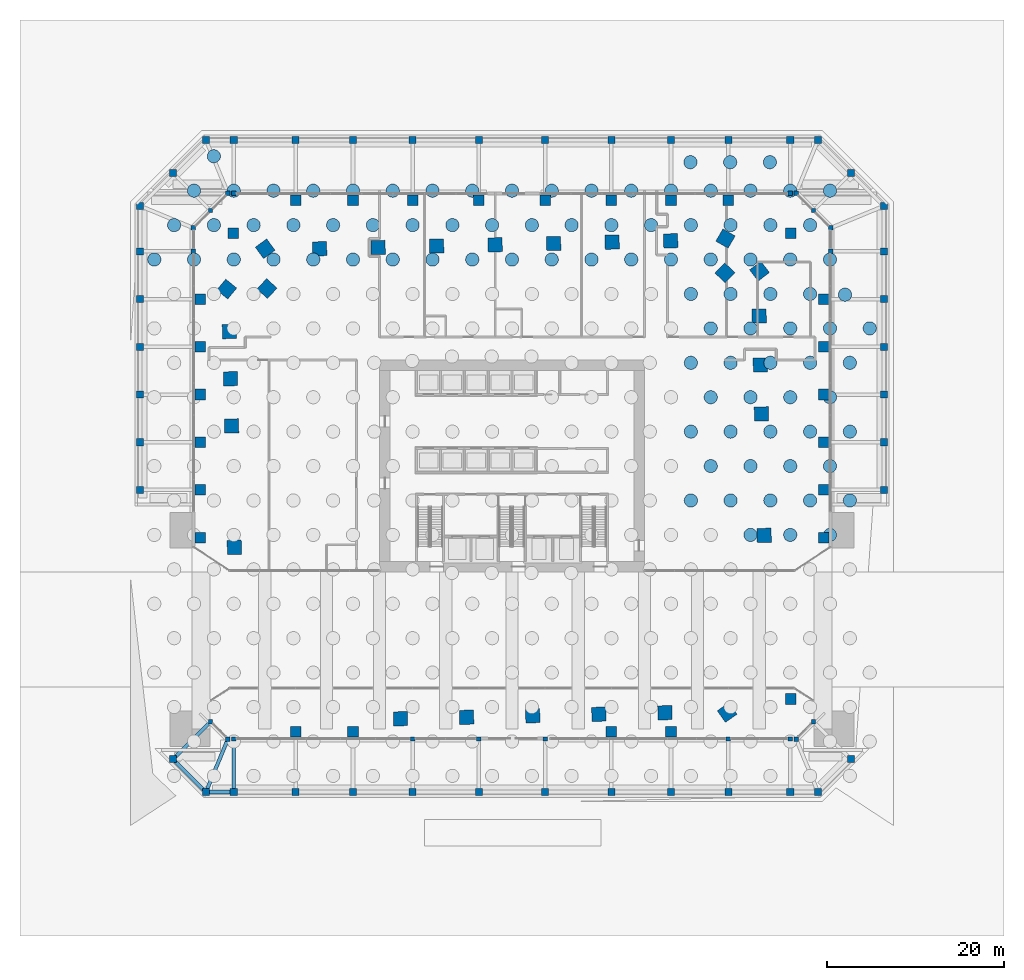
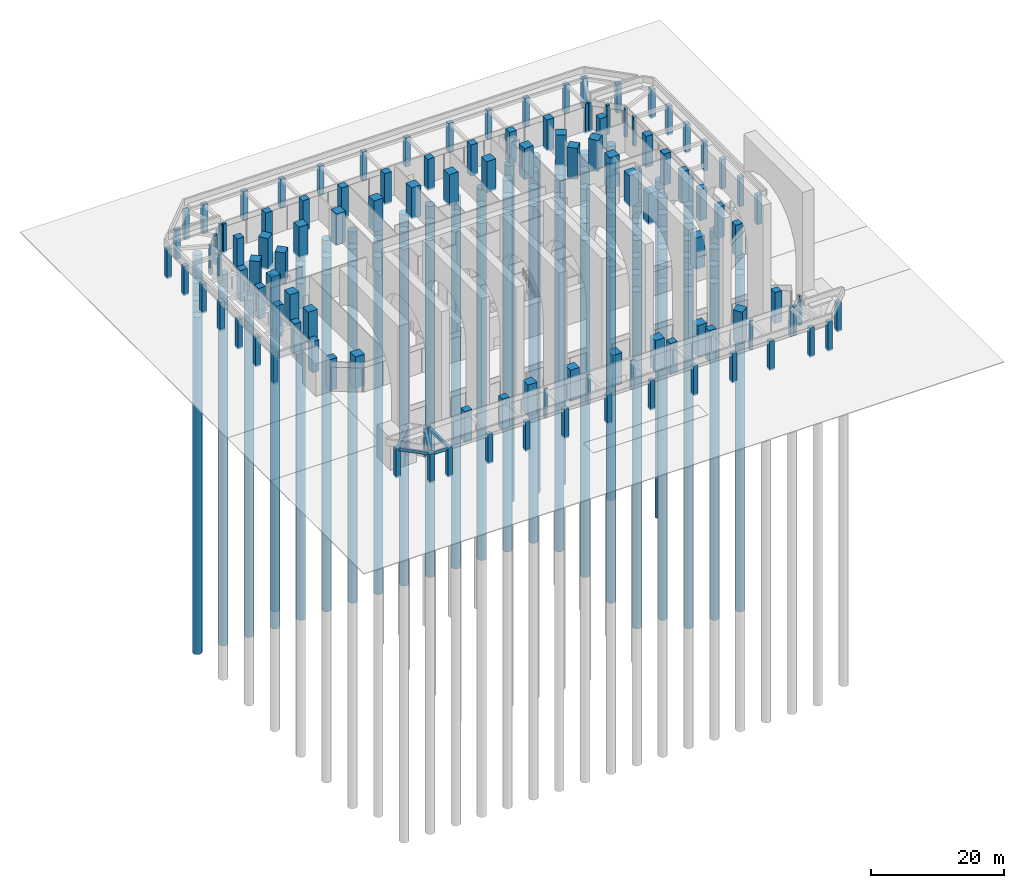
# One storey, part 2 of 46: 116 columns, 92 piles, 5 beams.
"""IFC4 building model written with IfcOpenShell, lengths in metres."""

from ifc_helpers import new_model, si_unit, direction, frame, origin, origin_2d, place, context, subcontext, project, spatial, rectangle, circle, extrude, material, material_profile, profile_set, type_object, element, save


model = new_model("IFC4")

# Units and contexts
model_context = context("Model", 3, precision=1e-05, world=origin(), true_north=direction((0.0, 1.0)))
body_context = subcontext(model_context, "Body", "Model", "MODEL_VIEW")
ifc_project = project(units=[si_unit("LENGTHUNIT", "METRE"), si_unit("AREAUNIT", "SQUARE_METRE"), si_unit("VOLUMEUNIT", "CUBIC_METRE"), si_unit("PLANEANGLEUNIT", "RADIAN"), si_unit("MASSUNIT", "GRAM", prefix="KILO")], contexts=[model_context])

# Site, building, storey
site_placement = place(None, origin())
site = spatial("IfcSite", under=ifc_project, at=site_placement, CompositionType="ELEMENT")
building_placement = place(site_placement, origin())
building = spatial("IfcBuilding", under=site, at=building_placement, Name="Mangrove Gate Tower", CompositionType="ELEMENT")
storey_placement = place(building_placement, origin())
storey = spatial("IfcBuildingStorey", under=building, at=storey_placement, Name="L00", CompositionType="ELEMENT", Elevation=0.0)

# Piles
ifc_material_1 = material(Name="Concrete C40/50", Category="concrete")
ifc_material_profile_1 = material_profile(ifc_material_1, circle(Radius=0.75, at=origin_2d()))
ifc_profile_set_1 = profile_set([ifc_material_profile_1], Name="Concrete C40/50")
pile_type = type_object("IfcPileType", Name="Bored pile D1500 C40/50", PredefinedType="BORED", material=ifc_profile_set_1)
for number, where, z_axis, x_axis, name in (
    (1, (27.0, -7.794189453125, -4.14990234375), (0.0, 0.0, -1.0), (1.0, 0.0, 0.0), "Bored pile T106098"),
    (2, (31.5, -7.794189453125, -4.14990234375), (0.0, 0.0, -1.0), (1.0, 0.0, 0.0), "Bored pile T107098"),
    (3, (36.0, -7.794189453125, -4.14990234375), (0.0, 0.0, -1.0), (1.0, 0.0, 0.0), "Bored pile T108098"),
    (4, (20.25, -3.897216796875, -4.14990234375), (0.0, 0.0, -1.0), (1.0, 0.0, 0.0), "Bored pile T104099"),
    (5, (24.75, -3.897216796875, -4.14990234375), (0.0, 0.0, -1.0), (1.0, 0.0, 0.0), "Bored pile T105099"),
    (6, (29.25, -3.897216796875, -4.14990234375), (0.0, 0.0, -1.0), (1.0, 0.0, 0.0), "Bored pile T106099"),
    (7, (33.75, -3.897216796875, -4.14990234375), (0.0, 0.0, -1.0), (1.0, 0.0, 0.0), "Bored pile T107099"),
    (8, (38.25, -3.897216796875, -4.14990234375), (0.0, 0.0, -1.0), (1.0, 0.0, 0.0), "Bored pile T108099"),
    (9, (22.5, 0.0, -4.14990234375), (0.0, 0.0, -1.0), (1.0, 0.0, 0.0), "Bored pile T105100"),
    (10, (27.0, 0.0, -4.14990234375), (0.0, 0.0, -1.0), (1.0, 0.0, 0.0), "Bored pile T106100"),
    (11, (31.5, 0.0, -4.14990234375), (0.0, 0.0, -1.0), (1.0, 0.0, 0.0), "Bored pile T107100"),
    (12, (36.0, 0.0, -4.14990234375), (0.0, 0.0, -1.0), (1.0, 0.0, 0.0), "Bored pile T108100"),
    (13, (20.25, 3.897216796875, -4.14990234375), (0.0, 0.0, -1.0), (1.0, 0.0, 0.0), "Bored pile T104101"),
    (14, (24.75, 3.897216796875, -4.14990234375), (0.0, 0.0, -1.0), (1.0, 0.0, 0.0), "Bored pile T105101"),
    (15, (29.25, 3.897216796875, -4.14990234375), (0.0, 0.0, -1.0), (1.0, 0.0, 0.0), "Bored pile T106101"),
    (16, (33.75, 3.897216796875, -4.14990234375), (0.0, 0.0, -1.0), (1.0, 0.0, 0.0), "Bored pile T107101"),
    (17, (38.25, 3.897216796875, -4.14990234375), (0.0, 0.0, -1.0), (1.0, 0.0, 0.0), "Bored pile T108101"),
    (18, (22.5, 7.794189453125, -4.14990234375), (0.0, 0.0, -1.0), (1.0, 0.0, 0.0), "Bored pile T105102"),
    (19, (27.0, 7.794189453125, -4.14990234375), (0.0, 0.0, -1.0), (1.0, 0.0, 0.0), "Bored pile T106102"),
    (20, (31.5, 7.794189453125, -4.14990234375), (0.0, 0.0, -1.0), (1.0, 0.0, 0.0), "Bored pile T107102"),
    (21, (36.0, 7.794189453125, -4.14990234375), (0.0, 0.0, -1.0), (1.0, 0.0, 0.0), "Bored pile T108102"),
    (22, (20.25, 11.69140625, -4.14990234375), (0.0, 0.0, -1.0), (1.0, 0.0, 0.0), "Bored pile T104103"),
    (23, (24.75, 11.69140625, -4.14990234375), (0.0, 0.0, -1.0), (1.0, 0.0, 0.0), "Bored pile T105103"),
    (24, (29.25, 11.69140625, -4.14990234375), (0.0, 0.0, -1.0), (1.0, 0.0, 0.0), "Bored pile T106103"),
    (25, (33.75, 11.69140625, -4.14990234375), (0.0, 0.0, -1.0), (1.0, 0.0, 0.0), "Bored pile T107103"),
    (26, (38.25, 11.69140625, -4.14990234375), (0.0, 0.0, -1.0), (1.0, 0.0, 0.0), "Bored pile T108103"),
    (27, (22.5, 15.58837890625, -4.14990234375), (0.0, 0.0, -1.0), (1.0, 0.0, 0.0), "Bored pile T105104"),
    (28, (27.0, 15.58837890625, -4.14990234375), (0.0, 0.0, -1.0), (1.0, 0.0, 0.0), "Bored pile T106104"),
    (29, (31.5, 15.58837890625, -4.14990234375), (0.0, 0.0, -1.0), (1.0, 0.0, 0.0), "Bored pile T107104"),
    (30, (36.0, 15.58837890625, -4.14990234375), (0.0, 0.0, -1.0), (1.0, 0.0, 0.0), "Bored pile T108104"),
    (31, (20.25, 19.485595703125, -4.14990234375), (0.0, 0.0, -1.0), (1.0, 0.0, 0.0), "Bored pile T104105"),
    (32, (24.75, 19.485595703125, -4.14990234375), (0.0, 0.0, -1.0), (1.0, 0.0, 0.0), "Bored pile T105105"),
    (33, (29.25, 19.485595703125, -4.14990234375), (0.0, 0.0, -1.0), (1.0, 0.0, 0.0), "Bored pile T106105"),
    (34, (33.75, 19.485595703125, -4.14990234375), (0.0, 0.0, -1.0), (1.0, 0.0, 0.0), "Bored pile T107105"),
    (35, (-40.5, 23.382568359375, -4.14990234375), (0.0, 0.0, -1.0), (1.0, 0.0, 0.0), "Bored pile T091106"),
    (36, (-36.0, 23.382568359375, -4.14990234375), (0.0, 0.0, -1.0), (1.0, 0.0, 0.0), "Bored pile T092106"),
    (37, (-31.5, 23.382568359375, -4.14990234375), (0.0, 0.0, -1.0), (1.0, 0.0, 0.0), "Bored pile T093106"),
    (38, (-27.0, 23.382568359375, -4.14990234375), (0.0, 0.0, -1.0), (1.0, 0.0, 0.0), "Bored pile T094106"),
    (39, (-22.5, 23.382568359375, -4.14990234375), (0.0, 0.0, -1.0), (1.0, 0.0, 0.0), "Bored pile T095106"),
    (40, (-18.0, 23.382568359375, -4.14990234375), (0.0, 0.0, -1.0), (1.0, 0.0, 0.0), "Bored pile T096106"),
    (41, (-13.5, 23.382568359375, -4.14990234375), (0.0, 0.0, -1.0), (1.0, 0.0, 0.0), "Bored pile T097106"),
    (42, (-9.0, 23.382568359375, -4.14990234375), (0.0, 0.0, -1.0), (1.0, 0.0, 0.0), "Bored pile T098106"),
    (43, (-4.5, 23.382568359375, -4.14990234375), (0.0, 0.0, -1.0), (1.0, 0.0, 0.0), "Bored pile T099106"),
    (44, (0.0, 23.382568359375, -4.14990234375), (0.0, 0.0, -1.0), (1.0, 0.0, 0.0), "Bored pile T100106"),
    (45, (4.5, 23.382568359375, -4.14990234375), (0.0, 0.0, -1.0), (1.0, 0.0, 0.0), "Bored pile T101106"),
    (46, (9.0, 23.382568359375, -4.14990234375), (0.0, 0.0, -1.0), (1.0, 0.0, 0.0), "Bored pile T102106"),
    (47, (13.5, 23.382568359375, -4.14990234375), (0.0, 0.0, -1.0), (1.0, 0.0, 0.0), "Bored pile T103106"),
    (48, (18.0, 23.382568359375, -4.14990234375), (0.0, 0.0, -1.0), (1.0, 0.0, 0.0), "Bored pile T104106"),
    (49, (22.5, 23.382568359375, -4.14990234375), (0.0, 0.0, -1.0), (1.0, 0.0, 0.0), "Bored pile T105106"),
    (50, (27.0, 23.382568359375, -4.14990234375), (0.0, 0.0, -1.0), (1.0, 0.0, 0.0), "Bored pile T106106"),
    (51, (31.5, 23.382568359375, -4.14990234375), (0.0, 0.0, -1.0), (1.0, 0.0, 0.0), "Bored pile T107106"),
    (52, (36.0, 23.382568359375, -4.14990234375), (0.0, 0.0, -1.0), (1.0, 0.0, 0.0), "Bored pile T108106"),
    (53, (-38.25, 27.27978515625, -4.14990234375), (0.0, 0.0, -1.0), (1.0, 0.0, 0.0), "Bored pile T091107"),
    (54, (-33.75, 27.27978515625, -4.14990234375), (0.0, 0.0, -1.0), (1.0, 0.0, 0.0), "Bored pile T092107"),
    (55, (-29.25, 27.27978515625, -4.14990234375), (0.0, 0.0, -1.0), (1.0, 0.0, 0.0), "Bored pile T093107"),
    (56, (-24.75, 27.27978515625, -4.14990234375), (0.0, 0.0, -1.0), (1.0, 0.0, 0.0), "Bored pile T094107"),
    (57, (-20.25, 27.27978515625, -4.14990234375), (0.0, 0.0, -1.0), (1.0, 0.0, 0.0), "Bored pile T095107"),
    (58, (-15.75, 27.27978515625, -4.14990234375), (0.0, 0.0, -1.0), (1.0, 0.0, 0.0), "Bored pile T096107"),
    (59, (-11.25, 27.27978515625, -4.14990234375), (0.0, 0.0, -1.0), (1.0, 0.0, 0.0), "Bored pile T097107"),
    (60, (-6.75, 27.27978515625, -4.14990234375), (0.0, 0.0, -1.0), (1.0, 0.0, 0.0), "Bored pile T098107"),
    (61, (-2.25, 27.27978515625, -4.14990234375), (0.0, 0.0, -1.0), (1.0, 0.0, 0.0), "Bored pile T099107"),
    (62, (2.25, 27.27978515625, -4.14990234375), (0.0, 0.0, -1.0), (1.0, 0.0, 0.0), "Bored pile T100107"),
    (63, (6.75, 27.27978515625, -4.14990234375), (0.0, 0.0, -1.0), (1.0, 0.0, 0.0), "Bored pile T101107"),
    (64, (11.25, 27.27978515625, -4.14990234375), (0.0, 0.0, -1.0), (1.0, 0.0, 0.0), "Bored pile T102107"),
    (65, (15.75, 27.27978515625, -4.14990234375), (0.0, 0.0, -1.0), (1.0, 0.0, 0.0), "Bored pile T103107"),
    (66, (20.25, 27.27978515625, -4.14990234375), (0.0, 0.0, -1.0), (1.0, 0.0, 0.0), "Bored pile T104107"),
    (67, (24.75, 27.27978515625, -4.14990234375), (0.0, 0.0, -1.0), (1.0, 0.0, 0.0), "Bored pile T105107"),
    (68, (29.25, 27.27978515625, -4.14990234375), (0.0, 0.0, -1.0), (1.0, 0.0, 0.0), "Bored pile T106107"),
    (69, (33.75, 27.27978515625, -4.14990234375), (0.0, 0.0, -1.0), (1.0, 0.0, 0.0), "Bored pile T107107"),
    (70, (-36.0, 31.177001953125, -4.14990234375), (0.0, 0.0, -1.0), (1.0, 0.0, 0.0), "Bored pile T092108"),
    (71, (-31.5, 31.177001953125, -4.14990234375), (0.0, 0.0, -1.0), (1.0, 0.0, 0.0), "Bored pile T093108"),
    (72, (-27.0, 31.177001953125, -4.14990234375), (0.0, 0.0, -1.0), (1.0, 0.0, 0.0), "Bored pile T094108"),
    (73, (-22.5, 31.177001953125, -4.14990234375), (0.0, 0.0, -1.0), (1.0, 0.0, 0.0), "Bored pile T095108"),
    (74, (-18.0, 31.177001953125, -4.14990234375), (0.0, 0.0, -1.0), (1.0, 0.0, 0.0), "Bored pile T096108"),
    (75, (-13.5, 31.177001953125, -4.14990234375), (0.0, 0.0, -1.0), (1.0, 0.0, 0.0), "Bored pile T097108"),
    (76, (-9.0, 31.177001953125, -4.14990234375), (0.0, 0.0, -1.0), (1.0, 0.0, 0.0), "Bored pile T098108"),
    (77, (-4.5, 31.177001953125, -4.14990234375), (0.0, 0.0, -1.0), (1.0, 0.0, 0.0), "Bored pile T099108"),
    (78, (0.0, 31.177001953125, -4.14990234375), (0.0, 0.0, -1.0), (1.0, 0.0, 0.0), "Bored pile T100108"),
    (79, (4.5, 31.177001953125, -4.14990234375), (0.0, 0.0, -1.0), (1.0, 0.0, 0.0), "Bored pile T101108"),
    (80, (9.0, 31.177001953125, -4.14990234375), (0.0, 0.0, -1.0), (1.0, 0.0, 0.0), "Bored pile T102108"),
    (81, (13.5, 31.177001953125, -4.14990234375), (0.0, 0.0, -1.0), (1.0, 0.0, 0.0), "Bored pile T103108"),
    (82, (18.0, 31.177001953125, -4.14990234375), (0.0, 0.0, -1.0), (1.0, 0.0, 0.0), "Bored pile T104108"),
    (83, (22.5, 31.177001953125, -4.14990234375), (0.0, 0.0, -1.0), (1.0, 0.0, 0.0), "Bored pile T105108"),
    (84, (27.0, 31.177001953125, -4.14990234375), (0.0, 0.0, -1.0), (1.0, 0.0, 0.0), "Bored pile T106108"),
    (85, (31.5, 31.177001953125, -4.14990234375), (0.0, 0.0, -1.0), (1.0, 0.0, 0.0), "Bored pile T107108"),
    (86, (36.0, 31.177001953125, -4.14990234375), (0.0, 0.0, -1.0), (1.0, 0.0, 0.0), "Bored pile T108108"),
    (87, (37.699951171875, 19.39990234375, -4.14990234375), (0.0, 0.0, -1.0), (1.0, 0.0, 0.0), "Bored pile T750105"),
    (88, (20.199951171875, 34.39990234375, -4.14990234375), (0.0, 0.0, -1.0), (1.0, 0.0, 0.0), "Bored pile T750106"),
    (89, (24.699951171875, 34.39990234375, -4.14990234375), (0.0, 0.0, -1.0), (1.0, 0.0, 0.0), "Bored pile T750107"),
    (90, (29.199951171875, 34.39990234375, -4.14990234375), (0.0, 0.0, -1.0), (1.0, 0.0, 0.0), "Bored pile T750108"),
    (91, (40.5, 15.58837890625, -2.14990234375), (0.0, 0.0, -1.0), (1.0, 0.0, 0.0), "Bored pile P109104"),
    (92, (-33.75, 35.073974609375, -2.14990234375), (0.0, 0.0, -1.0), (1.0, 0.0, 0.0), "Bored pile P092109"),
):
    element("IfcPile", number, at=place(storey_placement, frame(where, z_axis=z_axis, x_axis=x_axis)), inside=storey, type_object=pile_type, Name=name, PredefinedType="BORED", context=body_context, shape_type="SweptSolid", body=[
        extrude(circle(Radius=0.75, at=origin_2d()), origin(), (0.0, 0.0, 1.0), 62.0),
    ])

# Columns
ifc_material_2 = material(Name="Concrete C50/60", Category="concrete")
ifc_material_profile_2 = material_profile(ifc_material_2, rectangle(XDim=1.199951171875, YDim=1.199951171875, at=origin_2d()))
ifc_profile_set_2 = profile_set([ifc_material_profile_2], Name="Concrete C50/60")
column_type_1 = type_object("IfcColumnType", Name="Column RC 1200x1200 C50/60", PredefinedType="COLUMN", material=ifc_profile_set_2)
for number, where, z_axis, x_axis, name in (
    (93, (-24.5, -30.10009765625, -0.300048828125), (0.0, 0.0, 1.0), (1.0, 0.0, 0.0), "Column L00 PS00"),
    (94, (-24.5, 30.10009765625, -0.300048828125), (0.0, 0.0, 1.0), (1.0, 0.0, 0.0), "Column L00 PN01"),
    (95, (-18.0, -30.10009765625, -0.300048828125), (0.0, 0.0, 1.0), (1.0, 0.0, 0.0), "Column L00 PS02"),
    (96, (-18.0, 30.10009765625, -0.300048828125), (0.0, 0.0, 1.0), (1.0, 0.0, 0.0), "Column L00 PN03"),
    (97, (-11.25, 30.10009765625, -0.300048828125), (0.0, 0.0, 1.0), (1.0, 0.0, 0.0), "Column L00 PN05"),
    (98, (-3.75, 30.10009765625, -0.300048828125), (0.0, 0.0, 1.0), (1.0, 0.0, 0.0), "Column L00 PN07"),
    (99, (3.75, 30.10009765625, -0.300048828125), (0.0, 0.0, 1.0), (1.0, 0.0, 0.0), "Column L00 PN09"),
    (100, (11.25, -30.10009765625, -0.300048828125), (0.0, 0.0, 1.0), (1.0, 0.0, 0.0), "Column L00 PS10"),
    (101, (11.25, 30.10009765625, -0.300048828125), (0.0, 0.0, 1.0), (1.0, 0.0, 0.0), "Column L00 PN11"),
    (102, (18.0, -30.10009765625, -0.300048828125), (0.0, 0.0, 1.0), (1.0, 0.0, 0.0), "Column L00 PS12"),
    (103, (18.0, 30.10009765625, -0.300048828125), (0.0, 0.0, 1.0), (1.0, 0.0, 0.0), "Column L00 PN13"),
    (104, (24.5, 30.10009765625, -0.300048828125), (0.0, 0.0, 1.0), (1.0, 0.0, 0.0), "Column L00 PN15"),
    (105, (35.300048828125, -8.10009765625, -0.300048828125), (0.0, 0.0, 1.0), (1.0, 0.0, 0.0), "Column L00 PE20"),
    (106, (-35.300048828125, -8.10009765625, -0.300048828125), (0.0, 0.0, 1.0), (1.0, 0.0, 0.0), "Column L00 PW21"),
    (107, (35.300048828125, -2.699951171875, -0.300048828125), (0.0, 0.0, 1.0), (1.0, 0.0, 0.0), "Column L00 PE22"),
    (108, (-35.300048828125, -2.699951171875, -0.300048828125), (0.0, 0.0, 1.0), (1.0, 0.0, 0.0), "Column L00 PW23"),
    (109, (35.300048828125, 2.699951171875, -0.300048828125), (0.0, 0.0, 1.0), (1.0, 0.0, 0.0), "Column L00 PE24"),
    (110, (-35.300048828125, 2.699951171875, -0.300048828125), (0.0, 0.0, 1.0), (1.0, 0.0, 0.0), "Column L00 PW25"),
    (111, (35.300048828125, 8.10009765625, -0.300048828125), (0.0, 0.0, 1.0), (1.0, 0.0, 0.0), "Column L00 PE26"),
    (112, (-35.300048828125, 8.10009765625, -0.300048828125), (0.0, 0.0, 1.0), (1.0, 0.0, 0.0), "Column L00 PW27"),
    (113, (35.300048828125, 13.5, -0.300048828125), (0.0, 0.0, 1.0), (1.0, 0.0, 0.0), "Column L00 PE28"),
    (114, (-35.300048828125, 13.5, -0.300048828125), (0.0, 0.0, 1.0), (1.0, 0.0, 0.0), "Column L00 PW29"),
    (115, (35.300048828125, 18.89990234375, -0.300048828125), (0.0, 0.0, 1.0), (1.0, 0.0, 0.0), "Column L00 PE30"),
    (116, (-35.300048828125, 18.89990234375, -0.300048828125), (0.0, 0.0, 1.0), (1.0, 0.0, 0.0), "Column L00 PW31"),
    (117, (31.570068359375, 26.3701171875, -0.300048828125), (0.0, 0.0, 1.0), (1.0, 0.0, 0.0), "Column L00 PD32"),
    (118, (31.570068359375, -26.3701171875, -0.300048828125), (0.0, 0.0, 1.0), (1.0, 0.0, 0.0), "Column L00 PD33"),
    (119, (-31.570068359375, 26.3701171875, -0.300048828125), (0.0, 0.0, 1.0), (1.0, 0.0, 0.0), "Column L00 PD34"),
):
    element("IfcColumn", number, at=place(storey_placement, frame(where, z_axis=z_axis, x_axis=x_axis)), inside=storey, type_object=column_type_1, Name=name, PredefinedType="COLUMN", context=body_context, shape_type="SweptSolid", body=[
        extrude(rectangle(XDim=1.199951171875, YDim=1.199951171875, at=origin_2d()), origin(), (0.0, 0.0, 1.0), 5.75),
    ])
ifc_material_3 = material(Name="Concrete C70/85", Category="concrete")
ifc_material_profile_3 = material_profile(ifc_material_3, rectangle(XDim=1.60009765625, YDim=1.60009765625, at=origin_2d()))
ifc_profile_set_3 = profile_set([ifc_material_profile_3], Name="Concrete C70/85")
column_type_2 = type_object("IfcColumnType", Name="Column RC 1600x1600 C70/85", PredefinedType="COLUMN", material=ifc_profile_set_3)
for number, where, z_axis, x_axis, name in (
    (120, (-31.436279296875, -9.203857421875, -0.300048828125), (0.0, 0.0, 1.0), (0.022677684385, -0.999742828247, 0.0), "Column L00 W06"),
    (121, (-12.6201171875, -28.607177734375, -0.300048828125), (0.0, 0.0, 1.0), (0.999742076866, 0.022710784754, 0.0), "Column L00 S03"),
    (122, (-5.13623046875, -28.437255859375, -0.300048828125), (0.0, 0.0, 1.0), (0.999742111349, 0.022709266709, 0.0), "Column L00 S04"),
    (123, (2.347900390625, -28.26708984375, -0.300048828125), (0.0, 0.0, 1.0), (0.999742111349, 0.022709266709, 0.0), "Column L00 S05"),
    (124, (9.831787109375, -28.09716796875, -0.300048828125), (0.0, 0.0, 1.0), (0.999742076866, 0.022710784754, 0.0), "Column L00 S06"),
    (125, (17.31494140625, -27.92724609375, -0.300048828125), (0.0, 0.0, 1.0), (0.999743591179, 0.022644025629, 0.0), "Column L00 S07"),
    (126, (24.357666015625, -27.903076171875, -0.300048828125), (0.0, 0.0, 1.0), (0.818798537757, 0.574080965166, 0.0), "Column L00 S08"),
    (127, (28.548095703125, -7.84326171875, -0.300048828125), (0.0, 0.0, 1.0), (-0.022680668131, 0.999742760561, 0.0), "Column L00 E05"),
    (128, (28.236083984375, 5.90380859375, -0.300048828125), (0.0, 0.0, 1.0), (-0.022703735442, 0.999742236978, 0.0), "Column L00 E06"),
    (129, (28.110107421875, 11.44384765625, -0.300048828125), (0.0, 0.0, 1.0), (-0.022645578574, 0.999743556004, 0.0), "Column L00 E07"),
    (130, (27.985107421875, 16.98486328125, -0.300048828125), (0.0, 0.0, 1.0), (-0.022645578574, 0.999743556004, 0.0), "Column L00 E08"),
    (131, (28.021240234375, 22.06005859375, -0.300048828125), (0.0, 0.0, 1.0), (-0.60357593887, 0.797305516109, 0.0), "Column L00 E09"),
    (132, (24.107421875, 21.87353515625, -0.300048828125), (0.0, 0.0, 1.0), (-0.723010312757, 0.690837236726, 0.0), "Column L00 E10"),
    (133, (24.171142578125, 25.757080078125, -0.300048828125), (0.0, 0.0, 1.0), (-0.867550504106, 0.497349095531, 0.0), "Column L00 N01"),
    (134, (17.964111328125, 25.501220703125, -0.300048828125), (0.0, 0.0, 1.0), (-0.999741913532, -0.022717973655, 0.0), "Column L00 N02"),
    (135, (11.341064453125, 25.35009765625, -0.300048828125), (0.0, 0.0, 1.0), (-0.999741952388, -0.022716263674, 0.0), "Column L00 N03"),
    (136, (4.717041015625, 25.2001953125, -0.300048828125), (0.0, 0.0, 1.0), (-0.999743663498, -0.022640832496, 0.0), "Column L00 N04"),
    (137, (-1.90576171875, 25.05029296875, -0.300048828125), (0.0, 0.0, 1.0), (-0.999741913532, -0.022717973655, 0.0), "Column L00 N05"),
    (138, (-8.52880859375, 24.899169921875, -0.300048828125), (0.0, 0.0, 1.0), (-0.999741952388, -0.022716263674, 0.0), "Column L00 N06"),
    (139, (-15.15283203125, 24.749267578125, -0.300048828125), (0.0, 0.0, 1.0), (-0.999743663498, -0.022640832496, 0.0), "Column L00 N07"),
    (140, (-21.77587890625, 24.59912109375, -0.300048828125), (0.0, 0.0, 1.0), (-0.999743624771, -0.02264254248, 0.0), "Column L00 N08"),
    (141, (-27.946044921875, 24.602294921875, -0.300048828125), (0.0, 0.0, 1.0), (-0.808269368168, -0.588812897686, 0.0), "Column L00 N09"),
    (142, (-27.734619140625, 20.097412109375, -0.300048828125), (0.0, 0.0, 1.0), (-0.690863130287, -0.722985570541, 0.0), "Column L00 W01"),
    (143, (-32.2939453125, 20.036865234375, -0.300048828125), (0.0, 0.0, 1.0), (-0.63510539695, -0.772425488164, 0.0), "Column L00 W02"),
    (144, (-31.990234375, 15.22314453125, -0.300048828125), (0.0, 0.0, 1.0), (0.022746921185, -0.999741255314, 0.0), "Column L00 W03"),
    (145, (-31.869140625, 9.883056640625, -0.300048828125), (0.0, 0.0, 1.0), (0.022653360746, -0.999743379696, 0.0), "Column L00 W04"),
    (146, (-31.748291015625, 4.543212890625, -0.300048828125), (0.0, 0.0, 1.0), (0.022679760793, -0.999742781144, 0.0), "Column L00 W05"),
):
    element("IfcColumn", number, at=place(storey_placement, frame(where, z_axis=z_axis, x_axis=x_axis)), inside=storey, type_object=column_type_2, Name=name, PredefinedType="COLUMN", context=body_context, shape_type="SweptSolid", body=[
        extrude(rectangle(XDim=1.60009765625, YDim=1.60009765625, at=origin_2d()), origin(), (0.0, 0.0, 1.0), 5.75),
    ])
ifc_material_4 = material(Name="Concrete C70/85", Category="concrete")
ifc_material_profile_4 = material_profile(ifc_material_4, rectangle(XDim=0.5, YDim=0.5, at=origin_2d()))
ifc_profile_set_4 = profile_set([ifc_material_profile_4], Name="Concrete C70/85")
column_type_3 = type_object("IfcColumnType", Name="Column RC 500x500 C70/85", PredefinedType="COLUMN", material=ifc_profile_set_4)
for number, where, z_axis, x_axis, name in (
    (147, (-34.12939453125, -28.92919921875, -0.300048828125), (0.0, 0.0, 1.0), (1.0, 0.0, 0.0), "Column L00 CPS00"),
    (148, (-32.16162109375, -30.90771484375, -0.300048828125), (0.0, 0.0, 1.0), (1.0, 0.0, 0.0), "Column L00 CPS01"),
    (149, (-31.5, -30.89990234375, -0.300048828125), (0.0, 0.0, 1.0), (1.0, 0.0, 0.0), "Column L00 CPS02"),
    (150, (-11.25, -30.89990234375, -0.300048828125), (0.0, 0.0, 1.0), (1.0, 0.0, 0.0), "Column L00 CPS05"),
    (151, (-3.75, -30.89990234375, -0.300048828125), (0.0, 0.0, 1.0), (1.0, 0.0, 0.0), "Column L00 CPS06"),
    (152, (3.75, -30.89990234375, -0.300048828125), (0.0, 0.0, 1.0), (1.0, 0.0, 0.0), "Column L00 CPS07"),
    (153, (24.5, -30.89990234375, -0.300048828125), (0.0, 0.0, 1.0), (1.0, 0.0, 0.0), "Column L00 CPS10"),
    (154, (31.5, -30.89990234375, -0.300048828125), (0.0, 0.0, 1.0), (1.0, 0.0, 0.0), "Column L00 CPS11"),
    (155, (32.16162109375, -30.90771484375, -0.300048828125), (0.0, 0.0, 1.0), (1.0, 0.0, 0.0), "Column L00 CPS12"),
    (156, (34.12939453125, -28.92919921875, -0.300048828125), (0.0, 0.0, 1.0), (1.0, 0.0, 0.0), "Column L00 CPS13"),
    (157, (36.10009765625, 24.300048828125, -0.300048828125), (0.0, 0.0, 1.0), (1.0, 0.0, 0.0), "Column L00 CPE05"),
    (158, (36.107666015625, 26.961669921875, -0.300048828125), (0.0, 0.0, 1.0), (1.0, 0.0, 0.0), "Column L00 CPE06"),
    (159, (-34.12939453125, 28.92919921875, -0.300048828125), (0.0, 0.0, 1.0), (1.0, 0.0, 0.0), "Column L00 CPN00"),
    (160, (-32.16162109375, 30.90771484375, -0.300048828125), (0.0, 0.0, 1.0), (1.0, 0.0, 0.0), "Column L00 CPN01"),
    (161, (-31.5, 30.89990234375, -0.300048828125), (0.0, 0.0, 1.0), (1.0, 0.0, 0.0), "Column L00 CPN02"),
    (162, (31.5, 30.89990234375, -0.300048828125), (0.0, 0.0, 1.0), (1.0, 0.0, 0.0), "Column L00 CPN11"),
    (163, (32.16162109375, 30.90771484375, -0.300048828125), (0.0, 0.0, 1.0), (1.0, 0.0, 0.0), "Column L00 CPN12"),
    (164, (34.12939453125, 28.92919921875, -0.300048828125), (0.0, 0.0, 1.0), (1.0, 0.0, 0.0), "Column L00 CPN13"),
    (165, (-36.10009765625, 24.300048828125, -0.300048828125), (0.0, 0.0, 1.0), (1.0, 0.0, 0.0), "Column L00 CPW05"),
    (166, (-36.107666015625, 26.961669921875, -0.300048828125), (0.0, 0.0, 1.0), (1.0, 0.0, 0.0), "Column L00 CPW06"),
):
    element("IfcColumn", number, at=place(storey_placement, frame(where, z_axis=z_axis, x_axis=x_axis)), inside=storey, type_object=column_type_3, Name=name, PredefinedType="COLUMN", context=body_context, shape_type="SweptSolid", body=[
        extrude(rectangle(XDim=0.5, YDim=0.5, at=origin_2d()), origin(), (0.0, 0.0, 1.0), 5.380126953125),
    ])
ifc_material_5 = material(Name="Concrete C70/85", Category="concrete")
ifc_material_profile_5 = material_profile(ifc_material_5, rectangle(XDim=0.800048828125, YDim=0.800048828125, at=origin_2d()))
ifc_profile_set_5 = profile_set([ifc_material_profile_5], Name="Concrete C70/85")
column_type_4 = type_object("IfcColumnType", Name="Column RC 800x800 C70/85", PredefinedType="COLUMN", material=ifc_profile_set_5)
for number, where, z_axis, x_axis, name in (
    (167, (-38.3720703125, -33.172119140625, -0.300048828125), (0.0, 0.0, 1.0), (1.0, 0.0, 0.0), "Column L00 CCS00"),
    (168, (-34.64404296875, -36.89990234375, -0.300048828125), (0.0, 0.0, 1.0), (1.0, 0.0, 0.0), "Column L00 CCS01"),
    (169, (-31.5, -36.89990234375, -0.300048828125), (0.0, 0.0, 1.0), (1.0, 0.0, 0.0), "Column L00 CCS02"),
    (170, (-24.5, -36.89990234375, -0.300048828125), (0.0, 0.0, 1.0), (1.0, 0.0, 0.0), "Column L00 CCS03"),
    (171, (-18.0, -36.89990234375, -0.300048828125), (0.0, 0.0, 1.0), (1.0, 0.0, 0.0), "Column L00 CCS04"),
    (172, (-11.25, -36.89990234375, -0.300048828125), (0.0, 0.0, 1.0), (1.0, 0.0, 0.0), "Column L00 CCS05"),
    (173, (-3.75, -36.89990234375, -0.300048828125), (0.0, 0.0, 1.0), (1.0, 0.0, 0.0), "Column L00 CCS06"),
    (174, (3.75, -36.89990234375, -0.300048828125), (0.0, 0.0, 1.0), (1.0, 0.0, 0.0), "Column L00 CCS07"),
    (175, (11.25, -36.89990234375, -0.300048828125), (0.0, 0.0, 1.0), (1.0, 0.0, 0.0), "Column L00 CCS08"),
    (176, (18.0, -36.89990234375, -0.300048828125), (0.0, 0.0, 1.0), (1.0, 0.0, 0.0), "Column L00 CCS09"),
    (177, (24.5, -36.89990234375, -0.300048828125), (0.0, 0.0, 1.0), (1.0, 0.0, 0.0), "Column L00 CCS10"),
    (178, (31.5, -36.89990234375, -0.300048828125), (0.0, 0.0, 1.0), (1.0, 0.0, 0.0), "Column L00 CCS11"),
    (179, (34.64404296875, -36.89990234375, -0.300048828125), (0.0, 0.0, 1.0), (1.0, 0.0, 0.0), "Column L00 CCS12"),
    (180, (38.3720703125, -33.172119140625, -0.300048828125), (0.0, 0.0, 1.0), (1.0, 0.0, 0.0), "Column L00 CCS13"),
    (181, (42.10009765625, -2.699951171875, -0.300048828125), (0.0, 0.0, 1.0), (1.0, 0.0, 0.0), "Column L00 CCE00"),
    (182, (42.10009765625, 2.699951171875, -0.300048828125), (0.0, 0.0, 1.0), (1.0, 0.0, 0.0), "Column L00 CCE01"),
    (183, (42.10009765625, 8.10009765625, -0.300048828125), (0.0, 0.0, 1.0), (1.0, 0.0, 0.0), "Column L00 CCE02"),
    (184, (42.10009765625, 13.5, -0.300048828125), (0.0, 0.0, 1.0), (1.0, 0.0, 0.0), "Column L00 CCE03"),
    (185, (42.10009765625, 18.89990234375, -0.300048828125), (0.0, 0.0, 1.0), (1.0, 0.0, 0.0), "Column L00 CCE04"),
    (186, (42.10009765625, 24.300048828125, -0.300048828125), (0.0, 0.0, 1.0), (1.0, 0.0, 0.0), "Column L00 CCE05"),
    (187, (42.10009765625, 29.444091796875, -0.300048828125), (0.0, 0.0, 1.0), (1.0, 0.0, 0.0), "Column L00 CCE06"),
    (188, (-38.3720703125, 33.172119140625, -0.300048828125), (0.0, 0.0, 1.0), (1.0, 0.0, 0.0), "Column L00 CCN00"),
    (189, (-34.64404296875, 36.89990234375, -0.300048828125), (0.0, 0.0, 1.0), (1.0, 0.0, 0.0), "Column L00 CCN01"),
    (190, (-31.5, 36.89990234375, -0.300048828125), (0.0, 0.0, 1.0), (1.0, 0.0, 0.0), "Column L00 CCN02"),
    (191, (-24.5, 36.89990234375, -0.300048828125), (0.0, 0.0, 1.0), (1.0, 0.0, 0.0), "Column L00 CCN03"),
    (192, (-18.0, 36.89990234375, -0.300048828125), (0.0, 0.0, 1.0), (1.0, 0.0, 0.0), "Column L00 CCN04"),
    (193, (-11.25, 36.89990234375, -0.300048828125), (0.0, 0.0, 1.0), (1.0, 0.0, 0.0), "Column L00 CCN05"),
    (194, (-3.75, 36.89990234375, -0.300048828125), (0.0, 0.0, 1.0), (1.0, 0.0, 0.0), "Column L00 CCN06"),
    (195, (3.75, 36.89990234375, -0.300048828125), (0.0, 0.0, 1.0), (1.0, 0.0, 0.0), "Column L00 CCN07"),
    (196, (11.25, 36.89990234375, -0.300048828125), (0.0, 0.0, 1.0), (1.0, 0.0, 0.0), "Column L00 CCN08"),
    (197, (18.0, 36.89990234375, -0.300048828125), (0.0, 0.0, 1.0), (1.0, 0.0, 0.0), "Column L00 CCN09"),
    (198, (24.5, 36.89990234375, -0.300048828125), (0.0, 0.0, 1.0), (1.0, 0.0, 0.0), "Column L00 CCN10"),
    (199, (31.5, 36.89990234375, -0.300048828125), (0.0, 0.0, 1.0), (1.0, 0.0, 0.0), "Column L00 CCN11"),
    (200, (34.64404296875, 36.89990234375, -0.300048828125), (0.0, 0.0, 1.0), (1.0, 0.0, 0.0), "Column L00 CCN12"),
    (201, (38.3720703125, 33.172119140625, -0.300048828125), (0.0, 0.0, 1.0), (1.0, 0.0, 0.0), "Column L00 CCN13"),
    (202, (-42.10009765625, -2.699951171875, -0.300048828125), (0.0, 0.0, 1.0), (1.0, 0.0, 0.0), "Column L00 CCW00"),
    (203, (-42.10009765625, 2.699951171875, -0.300048828125), (0.0, 0.0, 1.0), (1.0, 0.0, 0.0), "Column L00 CCW01"),
    (204, (-42.10009765625, 8.10009765625, -0.300048828125), (0.0, 0.0, 1.0), (1.0, 0.0, 0.0), "Column L00 CCW02"),
    (205, (-42.10009765625, 13.5, -0.300048828125), (0.0, 0.0, 1.0), (1.0, 0.0, 0.0), "Column L00 CCW03"),
    (206, (-42.10009765625, 18.89990234375, -0.300048828125), (0.0, 0.0, 1.0), (1.0, 0.0, 0.0), "Column L00 CCW04"),
    (207, (-42.10009765625, 24.300048828125, -0.300048828125), (0.0, 0.0, 1.0), (1.0, 0.0, 0.0), "Column L00 CCW05"),
    (208, (-42.10009765625, 29.444091796875, -0.300048828125), (0.0, 0.0, 1.0), (1.0, 0.0, 0.0), "Column L00 CCW06"),
):
    element("IfcColumn", number, at=place(storey_placement, frame(where, z_axis=z_axis, x_axis=x_axis)), inside=storey, type_object=column_type_4, Name=name, PredefinedType="COLUMN", context=body_context, shape_type="SweptSolid", body=[
        extrude(rectangle(XDim=0.800048828125, YDim=0.800048828125, at=origin_2d()), origin(), (0.0, 0.0, 1.0), 5.380126953125),
    ])

# Beams
ifc_material_6 = material(Name="Concrete C70/85", Category="concrete")
ifc_material_profile_6 = material_profile(ifc_material_6, rectangle(XDim=0.39990234375, YDim=0.5, at=origin_2d()))
ifc_profile_set_6 = profile_set([ifc_material_profile_6], Name="Concrete C70/85")
beam_type = type_object("IfcBeamType", Name="Canopy beam RC 400x500 C70/85", PredefinedType="BEAM", material=ifc_profile_set_6)
beam_1_placement = place(storey_placement, frame((-38.3720703125, -33.172119140625, 4.830078125), z_axis=(0.707129935029, -0.707083626586, 0.0), x_axis=(0.707083626586, 0.707129935029, 0.0)))
element("IfcBeam", 209, at=beam_1_placement, inside=storey, type_object=beam_type, Name="Canopy beam L00 CES00", PredefinedType="BEAM", context=body_context, shape_type="SweptSolid", body=[
    extrude(rectangle(XDim=0.39990234375, YDim=0.5, at=origin_2d()), origin(), (0.0, 0.0, 1.0), 5.27197265625),
])
beam_2_placement = place(storey_placement, frame((-34.64404296875, -36.89990234375, 4.830078125), z_axis=(1.0, 0.0, 0.0), x_axis=(0.0, 1.0, 0.0)))
element("IfcBeam", 210, at=beam_2_placement, inside=storey, type_object=beam_type, Name="Canopy beam L00 CES01", PredefinedType="BEAM", context=body_context, shape_type="SweptSolid", body=[
    extrude(rectangle(XDim=0.39990234375, YDim=0.5, at=origin_2d()), origin(), (0.0, 0.0, 1.0), 3.14404296875),
])
beam_3_placement = place(storey_placement, frame((-34.12939453125, -28.92919921875, 4.830078125), z_axis=(-0.707086436595, -0.707127125192, 0.0), x_axis=(0.707127125192, -0.707086436595, 0.0)))
element("IfcBeam", 211, at=beam_3_placement, inside=storey, type_object=beam_type, Name="Canopy beam L00 CBS00", PredefinedType="BEAM", context=body_context, shape_type="SweptSolid", body=[
    extrude(rectangle(XDim=0.39990234375, YDim=0.5, at=origin_2d()), origin(), (0.0, 0.0, 1.0), 6.000244140625),
])
beam_4_placement = place(storey_placement, frame((-32.16162109375, -30.90771484375, 4.830078125), z_axis=(-0.382732984475, -0.923859005798, 0.0), x_axis=(0.923859005798, -0.382732984475, 0.0)))
element("IfcBeam", 212, at=beam_4_placement, inside=storey, type_object=beam_type, Name="Canopy beam L00 CBS01", PredefinedType="BEAM", context=body_context, shape_type="SweptSolid", body=[
    extrude(rectangle(XDim=0.39990234375, YDim=0.5, at=origin_2d()), origin(), (0.0, 0.0, 1.0), 6.486083984375),
])
beam_5_placement = place(storey_placement, frame((-31.5, -30.89990234375, 4.830078125), z_axis=(0.0, -1.0, 0.0), x_axis=(1.0, 0.0, 0.0)))
element("IfcBeam", 213, at=beam_5_placement, inside=storey, type_object=beam_type, Name="Canopy beam L00 CBS02", PredefinedType="BEAM", context=body_context, shape_type="SweptSolid", body=[
    extrude(rectangle(XDim=0.39990234375, YDim=0.5, at=origin_2d()), origin(), (0.0, 0.0, 1.0), 6.0),
])

save(model, "model.ifc")
